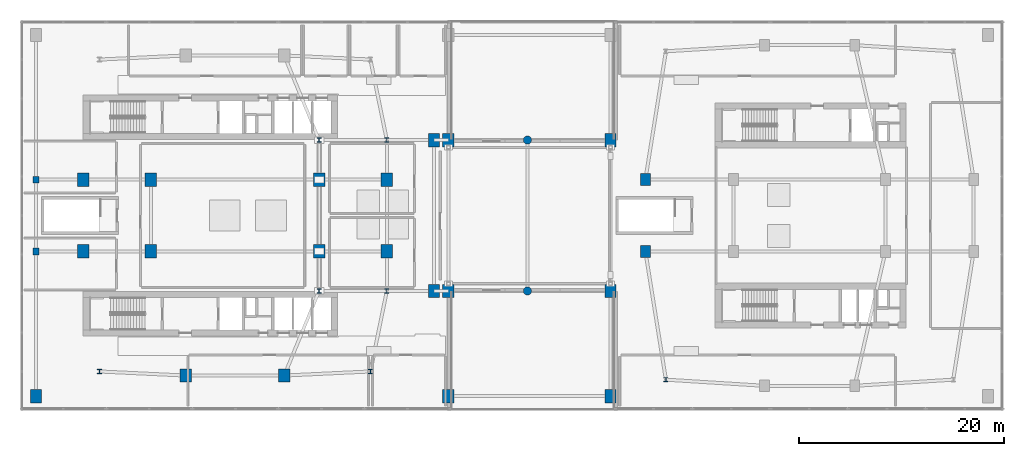
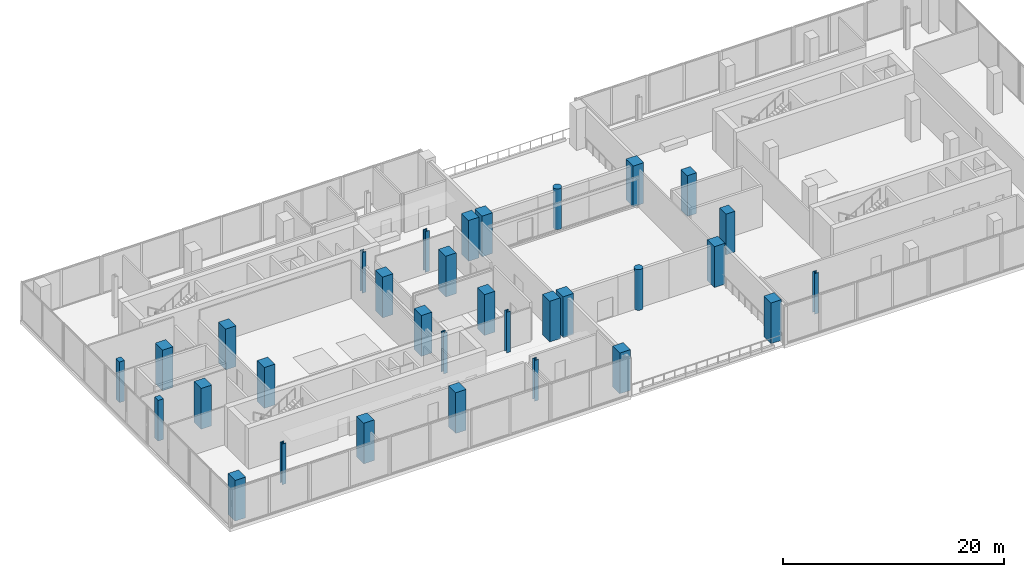
# One storey, part 1 of 21: 32 columns.
"""IFC4 building model written with IfcOpenShell, lengths in metres."""

from ifc_helpers import new_model, si_unit, derived_unit, direction, frame, origin, origin_2d, place, context, subcontext, project, spatial, rectangle, circle, i_section, extrude, material, material_profile, profile_set, type_object, element, save


model = new_model("IFC4")

# Units and contexts
model_context = context("Model", 3, precision=1e-05, world=origin(), true_north=direction((0.0, 1.0)))
body_context = subcontext(model_context, "Body", "Model", "MODEL_VIEW")
ifc_project = project(units=[si_unit("LENGTHUNIT", "METRE"), si_unit("AREAUNIT", "SQUARE_METRE"), si_unit("VOLUMEUNIT", "CUBIC_METRE"), si_unit("PLANEANGLEUNIT", "RADIAN"), si_unit("MASSUNIT", "GRAM", prefix="KILO"), derived_unit("THERMALTRANSMITTANCEUNIT", [(si_unit("POWERUNIT", "WATT"), 1), (si_unit("LENGTHUNIT", "METRE"), -2), (si_unit("THERMODYNAMICTEMPERATUREUNIT", "KELVIN"), -1)])], contexts=[model_context])

# Site, building, storey
site_placement = place(None, origin())
site = spatial("IfcSite", under=ifc_project, at=site_placement, CompositionType="ELEMENT")
building_placement = place(site_placement, origin())
building = spatial("IfcBuilding", under=site, at=building_placement, Name="Kivonza Crest Hotel", CompositionType="ELEMENT")
storey_placement = place(building_placement, frame((0.0, 0.0, 19.5)))
storey = spatial("IfcBuildingStorey", under=building, at=storey_placement, Name="L04", CompositionType="ELEMENT", Elevation=19.5)

# Columns
ifc_material_1 = material(Name="Concrete C60/75", Category="concrete")
ifc_material_profile_1 = material_profile(ifc_material_1, rectangle(XDim=0.550048828125, YDim=0.64990234375, at=origin_2d()), Name="RC 650x550")
ifc_profile_set_1 = profile_set([ifc_material_profile_1], Name="Concrete C60/75")
column_type_1 = type_object("IfcColumnType", Name="CL-PIL-650x550", PredefinedType="PILASTER", material=ifc_profile_set_1)
for number, where, z_axis, x_axis, name in (
    (1, (1.60009765625, 21.5, 0.0), (0.0, 0.0, 1.0), (1.0, 0.0, 0.0), "Tower T1 L04 column Z1W1"),
    (2, (1.60009765625, 28.5, 0.0), (0.0, 0.0, 1.0), (1.0, 0.0, 0.0), "Tower T1 L04 column Z1W2"),
):
    element("IfcColumn", number, at=place(storey_placement, frame(where, z_axis=z_axis, x_axis=x_axis)), inside=storey, type_object=column_type_1, Name=name, PredefinedType="PILASTER", context=body_context, shape_type="SweptSolid", body=[
        extrude(rectangle(XDim=0.550048828125, YDim=0.64990234375, at=origin_2d()), origin(), (0.0, 0.0, 1.0), 4.5),
    ])
ifc_material_profile_2 = material_profile(ifc_material_1, rectangle(XDim=0.949951171875, YDim=1.14990234375, at=origin_2d()), Name="RC 1150x950")
ifc_profile_set_2 = profile_set([ifc_material_profile_2], Name="Concrete C60/75")
column_type_2 = type_object("IfcColumnType", Name="CL-RC-1150x950", PredefinedType="COLUMN", material=ifc_profile_set_2)
for number, where, z_axis, x_axis, name in (
    (3, (61.0, 21.5, 0.0), (0.0, 0.0, 1.0), (1.0, 0.0, 0.0), "Companion Tower T2 L04 column W1"),
    (4, (61.0, 28.5, 0.0), (0.0, 0.0, 1.0), (1.0, 0.0, 0.0), "Companion Tower T2 L04 column W2"),
):
    element("IfcColumn", number, at=place(storey_placement, frame(where, z_axis=z_axis, x_axis=x_axis)), inside=storey, type_object=column_type_2, Name=name, PredefinedType="COLUMN", context=body_context, shape_type="SweptSolid", body=[
        extrude(rectangle(XDim=0.949951171875, YDim=1.14990234375, at=origin_2d()), origin(), (0.0, 0.0, 1.0), 4.5),
    ])
ifc_material_profile_3 = material_profile(ifc_material_1, rectangle(XDim=1.10009765625, YDim=1.300048828125, at=origin_2d()), Name="RC 1300x1100")
ifc_profile_set_3 = profile_set([ifc_material_profile_3], Name="Concrete C60/75")
column_type_3 = type_object("IfcColumnType", Name="CL-RC-1300x1100", PredefinedType="COLUMN", material=ifc_profile_set_3)
for number, where, z_axis, x_axis, name in (
    (5, (16.199951171875, 9.39990234375, 0.0), (0.0, 0.0, 1.0), (1.0, 0.0, 0.0), "Tower T1 L04 column S1"),
    (6, (25.800048828125, 9.39990234375, 0.0), (0.0, 0.0, 1.0), (1.0, 0.0, 0.0), "Tower T1 L04 column S2"),
    (7, (6.199951171875, 21.5, 0.0), (0.0, 0.0, 1.0), (1.0, 0.0, 0.0), "Tower T1 L04 column W1"),
    (8, (6.199951171875, 28.5, 0.0), (0.0, 0.0, 1.0), (1.0, 0.0, 0.0), "Tower T1 L04 column W2"),
    (9, (35.800048828125, 21.5, 0.0), (0.0, 0.0, 1.0), (1.0, 0.0, 0.0), "Tower T1 L04 column E1"),
    (10, (35.800048828125, 28.5, 0.0), (0.0, 0.0, 1.0), (1.0, 0.0, 0.0), "Tower T1 L04 column E2"),
    (11, (12.800048828125, 21.5, 0.0), (0.0, 0.0, 1.0), (1.0, 0.0, 0.0), "Tower T1 L04 column WL1"),
    (12, (12.800048828125, 28.5, 0.0), (0.0, 0.0, 1.0), (1.0, 0.0, 0.0), "Tower T1 L04 column WL2"),
    (13, (29.199951171875, 21.5, 0.0), (0.0, 0.0, 1.0), (1.0, 0.0, 0.0), "Tower T1 L04 column WR1"),
    (14, (29.199951171875, 28.5, 0.0), (0.0, 0.0, 1.0), (1.0, 0.0, 0.0), "Tower T1 L04 column WR2"),
    (15, (40.39990234375, 17.64990234375, 0.0), (0.0, 0.0, 1.0), (1.0, 0.0, 0.0), "Tower T1 L04 column Z1E1"),
    (16, (40.39990234375, 32.35009765625, 0.0), (0.0, 0.0, 1.0), (1.0, 0.0, 0.0), "Tower T1 L04 column Z1E2"),
    (17, (41.800048828125, 17.64990234375, 0.0), (0.0, 0.0, 1.0), (1.0, 0.0, 0.0), "Podium L04 column LK1S"),
    (18, (41.800048828125, 32.35009765625, 0.0), (0.0, 0.0, 1.0), (1.0, 0.0, 0.0), "Podium L04 column LK1N"),
    (19, (57.60009765625, 17.64990234375, 0.0), (0.0, 0.0, 1.0), (1.0, 0.0, 0.0), "Podium L04 column LK3S"),
    (20, (57.60009765625, 32.35009765625, 0.0), (0.0, 0.0, 1.0), (1.0, 0.0, 0.0), "Podium L04 column LK3N"),
    (21, (1.60009765625, 7.39990234375, 0.0), (0.0, 0.0, 1.0), (1.0, 0.0, 0.0), "Podium L04 column PS41"),
    (22, (41.800048828125, 7.39990234375, 0.0), (0.0, 0.0, 1.0), (1.0, 0.0, 0.0), "Podium L04 column PS42"),
    (23, (57.60009765625, 7.39990234375, 0.0), (0.0, 0.0, 1.0), (1.0, 0.0, 0.0), "Podium L04 column PS43"),
):
    element("IfcColumn", number, at=place(storey_placement, frame(where, z_axis=z_axis, x_axis=x_axis)), inside=storey, type_object=column_type_3, Name=name, PredefinedType="COLUMN", context=body_context, shape_type="SweptSolid", body=[
        extrude(rectangle(XDim=1.10009765625, YDim=1.300048828125, at=origin_2d()), origin(), (0.0, 0.0, 1.0), 4.5),
    ])
ifc_material_2 = material(Name="Concrete C50/60", Category="concrete")
ifc_material_profile_4 = material_profile(ifc_material_2, circle(Radius=0.39990234375, at=origin_2d()), Name="RC D800")
ifc_profile_set_4 = profile_set([ifc_material_profile_4], Name="Concrete C50/60")
column_type_4 = type_object("IfcColumnType", Name="CL-RC-D800", PredefinedType="COLUMN", material=ifc_profile_set_4)
for number, where, z_axis, x_axis, name in (
    (24, (49.5, 17.64990234375, 0.0), (0.0, 0.0, 1.0), (1.0, 0.0, 0.0), "Podium L04 column LK2S"),
    (25, (49.5, 32.35009765625, 0.0), (0.0, 0.0, 1.0), (1.0, 0.0, 0.0), "Podium L04 column LK2N"),
):
    element("IfcColumn", number, at=place(storey_placement, frame(where, z_axis=z_axis, x_axis=x_axis)), inside=storey, type_object=column_type_4, Name=name, PredefinedType="COLUMN", context=body_context, shape_type="SweptSolid", body=[
        extrude(circle(Radius=0.39990234375, at=origin_2d()), origin(), (0.0, 0.0, 1.0), 4.5),
    ])
ifc_material_3 = material(Name="Steel S355", Category="steel")
ifc_material_profile_5 = material_profile(ifc_material_3, i_section(OverallWidth=0.406005859375, OverallDepth=0.416015625, WebThickness=0.02392578125, FlangeThickness=0.0390625, FilletRadius=0.014892578125, at=origin_2d()), Name="HD 400x382")
ifc_profile_set_5 = profile_set([ifc_material_profile_5], Name="Steel S355")
column_type_5 = type_object("IfcColumnType", Name="CL-ST-HD400", PredefinedType="COLUMN", material=ifc_profile_set_5)
for number, where, z_axis, x_axis, name in (
    (26, (7.800048828125, 9.800048828125, 0.0), (0.0, 0.0, 1.0), (1.0, 0.0, 0.0), "Tower T1 L04 column SW"),
    (27, (34.199951171875, 9.800048828125, 0.0), (0.0, 0.0, 1.0), (1.0, 0.0, 0.0), "Tower T1 L04 column SE"),
    (28, (35.800048828125, 17.64990234375, 0.0), (0.0, 0.0, 1.0), (1.0, 0.0, 0.0), "Tower T1 L04 column PSE"),
    (29, (35.800048828125, 32.35009765625, 0.0), (0.0, 0.0, 1.0), (1.0, 0.0, 0.0), "Tower T1 L04 column PNE"),
    (30, (29.199951171875, 17.64990234375, 0.0), (0.0, 0.0, 1.0), (1.0, 0.0, 0.0), "Tower T1 L04 column TSE"),
    (31, (29.199951171875, 32.35009765625, 0.0), (0.0, 0.0, 1.0), (1.0, 0.0, 0.0), "Tower T1 L04 column TNE"),
    (32, (63.0, 9.0, 0.0), (0.0, 0.0, 1.0), (1.0, 0.0, 0.0), "Companion Tower T2 L04 column SW"),
):
    element("IfcColumn", number, at=place(storey_placement, frame(where, z_axis=z_axis, x_axis=x_axis)), inside=storey, type_object=column_type_5, Name=name, PredefinedType="COLUMN", context=body_context, shape_type="SweptSolid", body=[
        extrude(i_section(OverallWidth=0.406005859375, OverallDepth=0.416015625, WebThickness=0.02392578125, FlangeThickness=0.0390625, FilletRadius=0.014892578125, at=origin_2d()), origin(), (0.0, 0.0, 1.0), 4.5),
    ])

save(model, "model.ifc")
